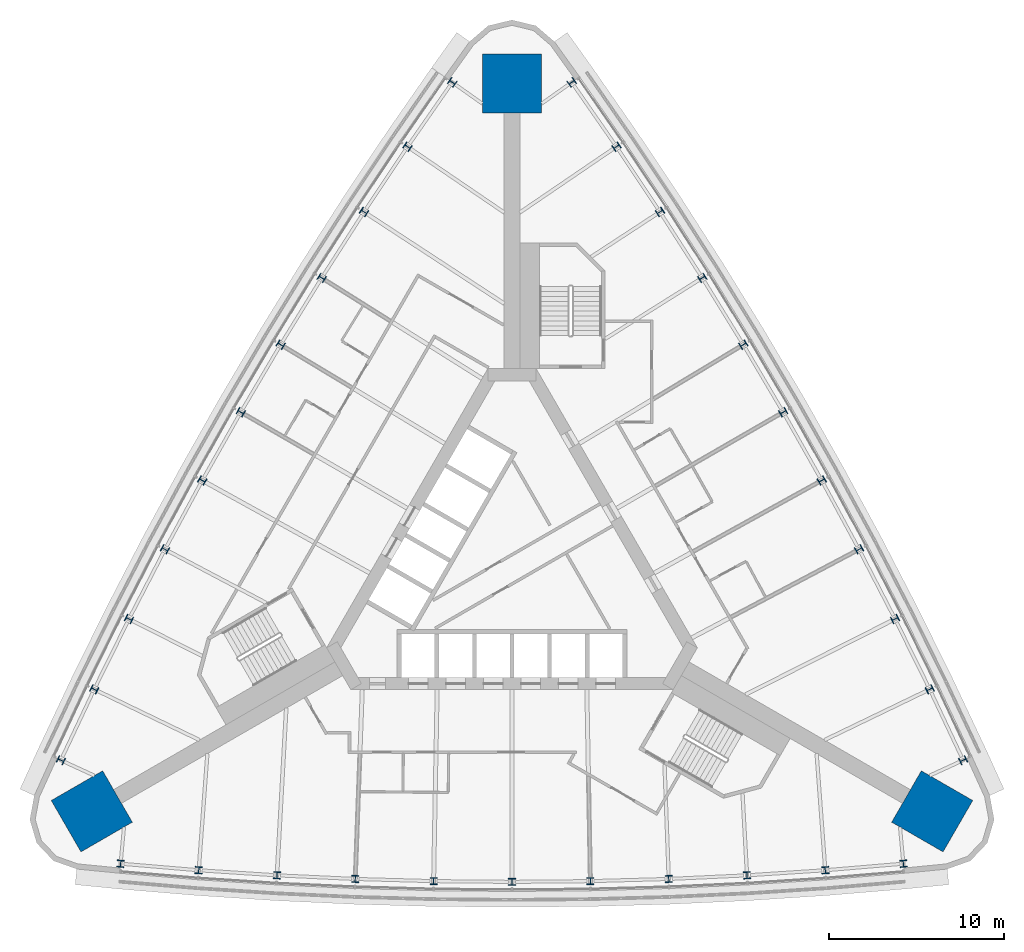
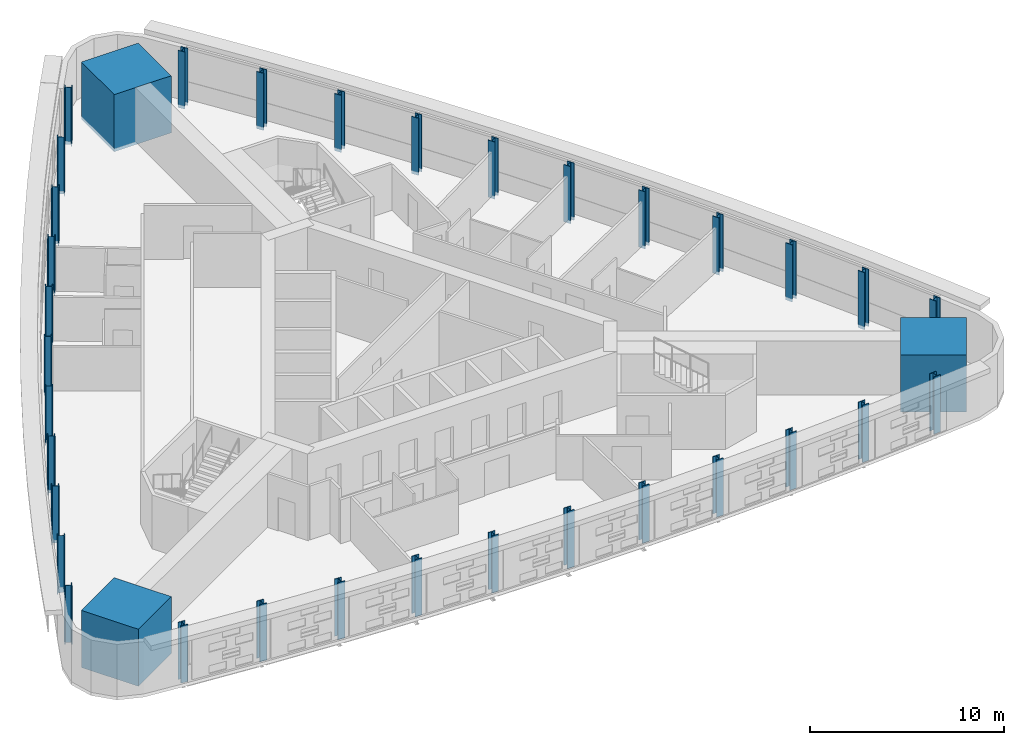
# One storey, part 1 of 15: 36 columns.
"""IFC4 building model written with IfcOpenShell, lengths in metres."""

from ifc_helpers import new_model, si_unit, direction, frame, origin, origin_2d, place, context, subcontext, project, spatial, rectangle, i_section, extrude, material, material_profile, profile_set, type_object, element, save


model = new_model("IFC4")

# Units and contexts
model_context = context("Model", 3, precision=1e-05, world=origin(), true_north=direction((0.0, 1.0)))
body_context = subcontext(model_context, "Body", "Model", "MODEL_VIEW")
ifc_project = project(units=[si_unit("LENGTHUNIT", "METRE"), si_unit("AREAUNIT", "SQUARE_METRE"), si_unit("VOLUMEUNIT", "CUBIC_METRE"), si_unit("PLANEANGLEUNIT", "RADIAN"), si_unit("MASSUNIT", "GRAM", prefix="KILO")], contexts=[model_context])

# Site, building, storey
site_placement = place(None, origin())
site = spatial("IfcSite", under=ifc_project, at=site_placement, CompositionType="ELEMENT")
building_placement = place(site_placement, origin())
building = spatial("IfcBuilding", under=site, at=building_placement, Name="Noor Cloister Tower", CompositionType="ELEMENT")
storey_placement = place(building_placement, frame((0.0, 0.0, 27.60009765625)))
storey = spatial("IfcBuildingStorey", under=building, at=storey_placement, Name="L06", CompositionType="ELEMENT", Elevation=27.60009765625)

# Columns
ifc_material_1 = material(Name="Steel ASTM A992 Gr 50", Category="steel")
ifc_material_profile_1 = material_profile(ifc_material_1, i_section(OverallWidth=0.404052734375, OverallDepth=0.406005859375, WebThickness=0.027099609375, FlangeThickness=0.043701171875, FilletRadius=0.01513671875, at=origin_2d()), Name="W360x347")
ifc_profile_set_1 = profile_set([ifc_material_profile_1], Name="Steel ASTM A992 Gr 50")
column_type_1 = type_object("IfcColumnType", Name="Column W360x347", PredefinedType="COLUMN", material=ifc_profile_set_1)
for number, where, z_axis, x_axis, name in (
    (1, (-3.421142578125, 27.85986328125, -0.2001953125), (0.0, 0.0, 1.0), (-0.578075535205, -0.815983256934, 0.0), "Column NW 01 L06"),
    (2, (-5.982421875, 24.17236328125, -0.2001953125), (0.0, 0.0, 1.0), (-0.562837238095, -0.826567748834, 0.0), "Column NW 02 L06"),
    (3, (-8.474853515625, 20.43798828125, -0.2001953125), (0.0, 0.0, 1.0), (-0.547405191489, -0.836867705394, 0.0), "Column NW 03 L06"),
    (4, (-10.8974609375, 16.657958984375, -0.2001953125), (0.0, 0.0, 1.0), (-0.531784707656, -0.846879580994, 0.0), "Column NW 04 L06"),
    (5, (-13.249755859375, 12.833740234375, -0.2001953125), (0.0, 0.0, 1.0), (-0.515981163775, -0.856599929156, 0.0), "Column NW 05 L06"),
    (6, (-15.530517578125, 8.966552734375, -0.2001953125), (0.0, 0.0, 1.0), (-0.5, -0.866025403784, 0.0), "Column NW 06 L06"),
    (7, (-17.7392578125, 5.0576171875, -0.2001953125), (0.0, 0.0, 1.0), (-0.483846717641, -0.875152760281, 0.0), "Column NW 07 L06"),
    (8, (-19.875, 1.1083984375, -0.2001953125), (0.0, 0.0, 1.0), (-0.467526877259, -0.883978856671, 0.0), "Column NW 08 L06"),
    (9, (-21.937255859375, -2.879638671875, -0.2001953125), (0.0, 0.0, 1.0), (-0.451046096733, -0.89250065469, 0.0), "Column NW 09 L06"),
    (10, (-23.925048828125, -6.9052734375, -0.2001953125), (0.0, 0.0, 1.0), (-0.434410049392, -0.900715220804, 0.0), "Column NW 10 L06"),
    (11, (-25.837890625, -10.96728515625, -0.2001953125), (0.0, 0.0, 1.0), (-0.417624461966, -0.908619727261, 0.0), "Column NW 11 L06"),
    (12, (-22.416748046875, -16.892578125, -0.2001953125), (0.0, 0.0, 1.0), (0.995699997171, -0.092636470327, 0.0), "Column S 01 L06"),
    (13, (-17.942626953125, -17.26708984375, -0.2001953125), (0.0, 0.0, 1.0), (0.997247287487, -0.074147471969, 0.0), "Column S 02 L06"),
    (14, (-13.46240234375, -17.558349609375, -0.2001953125), (0.0, 0.0, 1.0), (0.998451288222, -0.055632949296, 0.0), "Column S 03 L06"),
    (15, (-8.9775390625, -17.7666015625, -0.2001953125), (0.0, 0.0, 1.0), (0.999311584914, -0.037099275677, 0.0), "Column S 04 L06"),
    (16, (-4.489501953125, -17.8916015625, -0.2001953125), (0.0, 0.0, 1.0), (0.999827881416, -0.018552831126, 0.0), "Column S 05 L06"),
    (17, (0.0, -17.93310546875, -0.2001953125), (0.0, 0.0, 1.0), (1.0, 0.0, 0.0), "Column S 06 L06"),
    (18, (4.489501953125, -17.8916015625, -0.2001953125), (0.0, 0.0, 1.0), (0.999827881416, 0.018552831126, 0.0), "Column S 07 L06"),
    (19, (8.9775390625, -17.7666015625, -0.2001953125), (0.0, 0.0, 1.0), (0.999311584914, 0.037099275677, 0.0), "Column S 08 L06"),
    (20, (13.46240234375, -17.558349609375, -0.2001953125), (0.0, 0.0, 1.0), (0.998451288222, 0.055632949296, 0.0), "Column S 09 L06"),
    (21, (17.942626953125, -17.26708984375, -0.2001953125), (0.0, 0.0, 1.0), (0.997247287487, 0.074147471969, 0.0), "Column S 10 L06"),
    (22, (22.416748046875, -16.892578125, -0.2001953125), (0.0, 0.0, 1.0), (0.995699997171, 0.092636470327, 0.0), "Column S 11 L06"),
    (23, (25.837890625, -10.96728515625, -0.2001953125), (0.0, 0.0, 1.0), (-0.417624461966, 0.908619727261, 0.0), "Column NE 01 L06"),
    (24, (23.925048828125, -6.9052734375, -0.2001953125), (0.0, 0.0, 1.0), (-0.434410049392, 0.900715220804, 0.0), "Column NE 02 L06"),
    (25, (21.937255859375, -2.879638671875, -0.2001953125), (0.0, 0.0, 1.0), (-0.451046096733, 0.89250065469, 0.0), "Column NE 03 L06"),
    (26, (19.875, 1.1083984375, -0.2001953125), (0.0, 0.0, 1.0), (-0.467526877259, 0.883978856671, 0.0), "Column NE 04 L06"),
    (27, (17.7392578125, 5.0576171875, -0.2001953125), (0.0, 0.0, 1.0), (-0.483846717641, 0.875152760281, 0.0), "Column NE 05 L06"),
    (28, (15.530517578125, 8.966552734375, -0.2001953125), (0.0, 0.0, 1.0), (-0.5, 0.866025403784, 0.0), "Column NE 06 L06"),
    (29, (13.249755859375, 12.833740234375, -0.2001953125), (0.0, 0.0, 1.0), (-0.515981163775, 0.856599929156, 0.0), "Column NE 07 L06"),
    (30, (10.8974609375, 16.657958984375, -0.2001953125), (0.0, 0.0, 1.0), (-0.531784707656, 0.846879580994, 0.0), "Column NE 08 L06"),
    (31, (8.474853515625, 20.43798828125, -0.2001953125), (0.0, 0.0, 1.0), (-0.547405191489, 0.836867705394, 0.0), "Column NE 09 L06"),
    (32, (5.982421875, 24.17236328125, -0.2001953125), (0.0, 0.0, 1.0), (-0.562837238095, 0.826567748834, 0.0), "Column NE 10 L06"),
    (33, (3.421142578125, 27.85986328125, -0.2001953125), (0.0, 0.0, 1.0), (-0.578075535205, 0.815983256934, 0.0), "Column NE 11 L06"),
):
    element("IfcColumn", number, at=place(storey_placement, frame(where, z_axis=z_axis, x_axis=x_axis)), inside=storey, type_object=column_type_1, Name=name, PredefinedType="COLUMN", context=body_context, shape_type="SweptSolid", body=[
        extrude(i_section(OverallWidth=0.404052734375, OverallDepth=0.406005859375, WebThickness=0.027099609375, FlangeThickness=0.043701171875, FilletRadius=0.01513671875, at=origin_2d()), origin(), (0.0, 0.0, 1.0), 3.60009765625),
    ])
ifc_material_2 = material(Name="Concrete C80/95", Category="concrete")
ifc_material_profile_2 = material_profile(ifc_material_2, rectangle(XDim=3.39990234375, YDim=3.39990234375, at=origin_2d()), Name="RC 3400x3400")
ifc_profile_set_2 = profile_set([ifc_material_profile_2], Name="Concrete C80/95")
column_type_2 = type_object("IfcColumnType", Name="Corner pier 3400 x 3400 C80/95", PredefinedType="COLUMN", material=ifc_profile_set_2)
for number, where, z_axis, x_axis, name in (
    (34, (0.0, 27.7890625, -0.2001953125), (0.0, 0.0, 1.0), (0.0, 1.0, 0.0), "Corner pier N L06"),
    (35, (-24.06591796875, -13.89453125, -0.2001953125), (0.0, 0.0, 1.0), (-0.866025403784, -0.5, 0.0), "Corner pier SW L06"),
    (36, (24.06591796875, -13.89453125, -0.2001953125), (0.0, 0.0, 1.0), (0.866025403784, -0.5, 0.0), "Corner pier SE L06"),
):
    element("IfcColumn", number, at=place(storey_placement, frame(where, z_axis=z_axis, x_axis=x_axis)), inside=storey, type_object=column_type_2, Name=name, PredefinedType="COLUMN", context=body_context, shape_type="SweptSolid", body=[
        extrude(rectangle(XDim=3.39990234375, YDim=3.39990234375, at=origin_2d()), origin(), (0.0, 0.0, 1.0), 3.60009765625),
    ])

save(model, "model.ifc")
